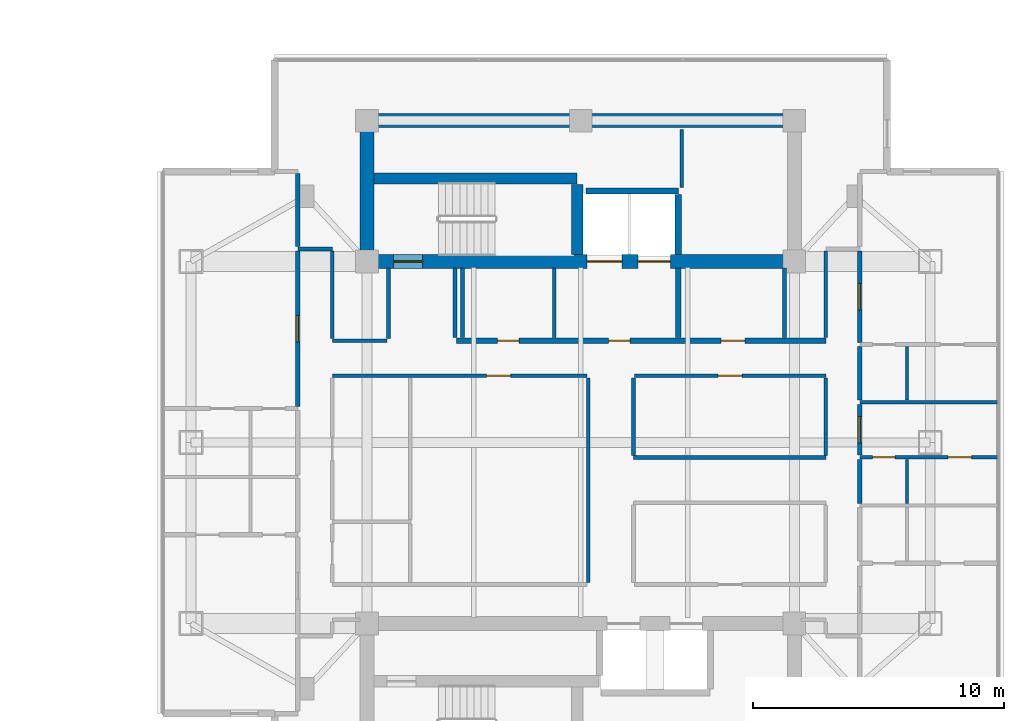
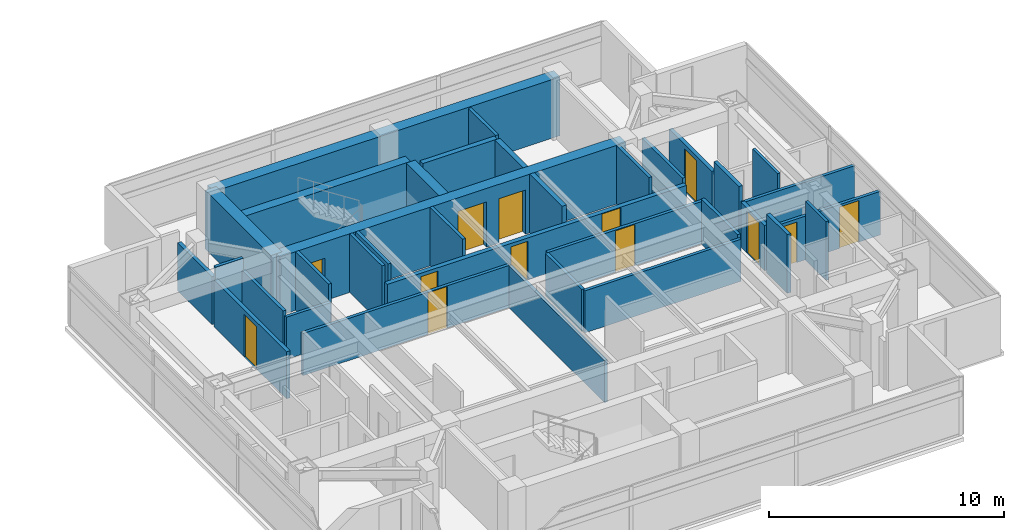
# One storey, part 17 of 24: 35 walls, 13 doors, 13 openings.
"""IFC4 building model written with IfcOpenShell, lengths in metres."""

from ifc_helpers import new_model, si_unit, direction, frame, frame_2d, origin, place, context, subcontext, project, spatial, rectangle, extrude, material, layer, layer_set, type_object, element, fill, save


model = new_model("IFC4")

# Units and contexts
model_context = context("Model", 3, precision=1e-05, world=origin(), true_north=direction((0.0, 1.0)))
body_context = subcontext(model_context, "Body", "Model", "MODEL_VIEW")
ifc_project = project(units=[si_unit("LENGTHUNIT", "METRE"), si_unit("AREAUNIT", "SQUARE_METRE"), si_unit("VOLUMEUNIT", "CUBIC_METRE"), si_unit("PLANEANGLEUNIT", "RADIAN"), si_unit("MASSUNIT", "GRAM", prefix="KILO")], contexts=[model_context])

# Site, building, storey
site_placement = place(None, origin())
site = spatial("IfcSite", under=ifc_project, at=site_placement, CompositionType="ELEMENT")
building_placement = place(site_placement, origin())
building = spatial("IfcBuilding", under=site, at=building_placement, Name="Mirazonda Arch Towers", CompositionType="ELEMENT")
storey_placement = place(building_placement, frame((0.0, 0.0, 186.89990234375)))
storey = spatial("IfcBuildingStorey", under=building, at=storey_placement, Name="L53", CompositionType="ELEMENT", Elevation=186.89990234375)

# Walls
ifc_material_1 = material(Name="Concrete C50/60", Category="concrete")
ifc_layer_1 = layer(ifc_material_1, 0.449951171875, Name="WALL-CORE-450")
ifc_layer_set_1 = layer_set([ifc_layer_1], Name="Concrete C50/60")
wall_type_1 = type_object("IfcWallType", Name="WALL-CORE-450", PredefinedType="SHEAR", material=ifc_layer_set_1)
wall_1_placement = place(storey_placement, frame((68.27001953125, 38.5, 0.0), z_axis=(0.0, 0.0, 1.0), x_axis=(1.0, 0.0, 0.0)))
element("IfcWall", 1, at=wall_1_placement, inside=storey, type_object=wall_type_1, Name="L53 Stair Core Shear Wall 053", PredefinedType="SHEAR", context=body_context, shape_type="SweptSolid", body=[
    extrude(rectangle(XDim=8.090087890625, YDim=0.449951171875, at=frame_2d((4.044921875, 0.0))), origin(), (0.0, 0.0, 1.0), 3.050048828125),
])
wall_2_placement = place(storey_placement, frame((76.360107421875, 35.469970703125, 0.0), z_axis=(0.0, 0.0, 1.0), x_axis=(0.0, 1.0, 0.0)))
element("IfcWall", 2, at=wall_2_placement, inside=storey, type_object=wall_type_1, Name="L53 Stair Core Shear Wall 138", PredefinedType="SHEAR", context=body_context, shape_type="SweptSolid", body=[
    extrude(rectangle(XDim=2.794921875, YDim=0.449951171875, at=frame_2d((1.3974609375, 0.0))), origin(), (0.0, 0.0, 1.0), 3.050048828125),
])
ifc_layer_2 = layer(ifc_material_1, 0.550048828125, Name="WALL-CORE-550")
ifc_layer_set_2 = layer_set([ifc_layer_2], Name="Concrete C50/60")
wall_type_2 = type_object("IfcWallType", Name="WALL-CORE-550", PredefinedType="SHEAR", material=ifc_layer_set_2)
wall_3_placement = place(storey_placement, frame((68.0, 40.800048828125, 0.0), z_axis=(0.0, 0.0, 1.0), x_axis=(1.0, 0.0, 0.0)))
element("IfcWall", 3, at=wall_3_placement, inside=storey, type_object=wall_type_2, Name="L53 T2N-N Core Shear Wall", PredefinedType="SHEAR", context=body_context, shape_type="SweptSolid", body=[
    extrude(rectangle(XDim=17.0, YDim=0.550048828125, at=frame_2d((8.5, 0.0))), origin(), (0.0, 0.0, 1.0), 3.050048828125),
])
wall_4_placement = place(storey_placement, frame((68.0, 35.199951171875, 0.0), z_axis=(0.0, 0.0, 1.0), x_axis=(0.0, 1.0, 0.0)))
element("IfcWall", 4, at=wall_4_placement, inside=storey, type_object=wall_type_2, Name="L53 T2N-W Core Shear Wall", PredefinedType="SHEAR", context=body_context, shape_type="SweptSolid", body=[
    extrude(rectangle(XDim=5.60009765625, YDim=0.550048828125, at=frame_2d((2.800048828125, 0.0))), origin(), (0.0, 0.0, 1.0), 3.050048828125),
])

# Wall, openings, doors
wall_5_placement = place(storey_placement, frame((68.0, 35.199951171875, 0.0), z_axis=(0.0, 0.0, 1.0), x_axis=(1.0, 0.0, 0.0)))
wall_5 = element("IfcWall", 5, at=wall_5_placement, inside=storey, type_object=wall_type_2, Name="L53 T2N-S Core Shear Wall", PredefinedType="SHEAR", context=body_context, shape_type="SweptSolid", body=[
    extrude(rectangle(XDim=17.0, YDim=0.550048828125, at=frame_2d((8.5, 0.0))), origin(), (0.0, 0.0, 1.0), 3.050048828125),
])
opening_1_placement = place(wall_5_placement, frame((1.06005859375, 0.0, 0.0)))
opening_1 = element("IfcOpeningElement", 6, at=opening_1_placement, cuts=wall_5, Name="Opening DR-135", PredefinedType="OPENING", context=body_context, shape_type="SweptSolid", body=[
    extrude(rectangle(XDim=1.14990234375, YDim=2.199951171875, at=frame_2d((0.574951171875, 1.10009765625))), frame((0.0, 0.284912109375, 0.0), z_axis=(0.0, -1.0, 0.0), x_axis=(1.0, 0.0, 0.0)), (0.0, 0.0, 1.0), 0.570068359375),
])
opening_2_placement = place(wall_5_placement, frame((8.75, 0.0, 0.0)))
opening_2 = element("IfcOpeningElement", 7, at=opening_2_placement, cuts=wall_5, Name="Opening LD-112", PredefinedType="OPENING", context=body_context, shape_type="SweptSolid", body=[
    extrude(rectangle(XDim=1.39990234375, YDim=2.35009765625, at=frame_2d((0.699951171875, 1.175048828125))), frame((0.0, 0.284912109375, 0.0), z_axis=(0.0, -1.0, 0.0), x_axis=(1.0, 0.0, 0.0)), (0.0, 0.0, 1.0), 0.570068359375),
])
opening_3_placement = place(wall_5_placement, frame((10.77001953125, 0.0, 0.0)))
opening_3 = element("IfcOpeningElement", 8, at=opening_3_placement, cuts=wall_5, Name="Opening LD-111", PredefinedType="OPENING", context=body_context, shape_type="SweptSolid", body=[
    extrude(rectangle(XDim=1.300048828125, YDim=2.300048828125, at=frame_2d((0.64990234375, 1.14990234375))), frame((0.0, 0.284912109375, 0.0), z_axis=(0.0, -1.0, 0.0), x_axis=(1.0, 0.0, 0.0)), (0.0, 0.0, 1.0), 0.570068359375),
])
ifc_material_2 = material(Name="Architectural Brushed Steel S355", Category="steel")
door_type_1 = type_object("IfcDoorType", Name="DOOR-LIFT-FFL-1400", OperationType="NOTDEFINED", PredefinedType="DOOR", material=ifc_material_2)
door_1_placement = place(opening_2_placement, origin())
door_1 = element("IfcDoor", 9, at=door_1_placement, inside=storey, type_object=door_type_1, Name="L53 Lift Landing Sliding Door FFL-T2", OperationType="DOUBLE_DOOR_SLIDING", OverallHeight=2.35009765625, OverallWidth=1.39990234375, PredefinedType="DOOR", context=body_context, shape_type="SweptSolid", body=[
    extrude(rectangle(XDim=1.39990234375, YDim=2.35009765625, at=frame_2d((0.699951171875, 1.175048828125))), frame((0.0, 0.02490234375, 0.0), z_axis=(0.0, -1.0, 0.0), x_axis=(1.0, 0.0, 0.0)), (0.0, 0.0, 1.0), 0.050048828125),
])
fill(opening_2, door_1)
door_type_2 = type_object("IfcDoorType", Name="DOOR-LIFT-LAND-1300", OperationType="NOTDEFINED", PredefinedType="DOOR", material=ifc_material_2)
door_2_placement = place(opening_3_placement, origin())
door_2 = element("IfcDoor", 10, at=door_2_placement, inside=storey, type_object=door_type_2, Name="L53 Lift Landing Sliding Door SVL-T2", OperationType="DOUBLE_DOOR_SLIDING", OverallHeight=2.300048828125, OverallWidth=1.300048828125, PredefinedType="DOOR", context=body_context, shape_type="SweptSolid", body=[
    extrude(rectangle(XDim=1.300048828125, YDim=2.300048828125, at=frame_2d((0.64990234375, 1.14990234375))), frame((0.0, 0.02490234375, 0.0), z_axis=(0.0, -1.0, 0.0), x_axis=(1.0, 0.0, 0.0)), (0.0, 0.0, 1.0), 0.050048828125),
])
fill(opening_3, door_2)
door_type_3 = type_object("IfcDoorType", Name="DOOR-STAIR-FD90-1150", OperationType="NOTDEFINED", PredefinedType="DOOR", material=ifc_material_2)
door_3_placement = place(opening_1_placement, origin())
door_3 = element("IfcDoor", 11, at=door_3_placement, inside=storey, type_object=door_type_3, Name="L53 East Protected Stair North Door", OperationType="SINGLE_SWING_LEFT", OverallHeight=2.199951171875, OverallWidth=1.14990234375, PredefinedType="DOOR", context=body_context, shape_type="SweptSolid", body=[
    extrude(rectangle(XDim=1.14990234375, YDim=2.199951171875, at=frame_2d((0.574951171875, 1.10009765625))), frame((0.0, 0.02490234375, 0.0), z_axis=(0.0, -1.0, 0.0), x_axis=(1.0, 0.0, 0.0)), (0.0, 0.0, 1.0), 0.050048828125),
])
fill(opening_1, door_3)

ifc_material_3 = material(Name="Concrete C40/50", Category="concrete")
ifc_layer_3 = layer(ifc_material_3, 0.219970703125, Name="WALL-FFL-220")
ifc_layer_set_3 = layer_set([ifc_layer_3], Name="Concrete C40/50")
wall_type_3 = type_object("IfcWallType", Name="WALL-FFL-220", PredefinedType="SOLIDWALL", material=ifc_layer_set_3)
wall_6_placement = place(storey_placement, frame((71.550048828125, 32.050048828125, 0.0), z_axis=(0.0, 0.0, 1.0), x_axis=(1.0, 0.0, 0.0)))
wall_6 = element("IfcWall", 12, at=wall_6_placement, inside=storey, type_object=wall_type_3, Name="L53 Interior Partition 044", PredefinedType="SOLIDWALL", context=body_context, shape_type="SweptSolid", body=[
    extrude(rectangle(XDim=14.699951171875, YDim=0.219970703125, at=frame_2d((7.35009765625, 0.0))), origin(), (0.0, 0.0, 1.0), 2.18603515625),
])
opening_4_placement = place(wall_6_placement, frame((6.06494140625, 0.0, 0.0)))
opening_4 = element("IfcOpeningElement", 13, at=opening_4_placement, cuts=wall_6, Name="Opening DR-128", PredefinedType="OPENING", context=body_context, shape_type="SweptSolid", body=[
    extrude(rectangle(XDim=0.85009765625, YDim=2.010009765625, at=frame_2d((0.425048828125, 1.0048828125))), frame((0.0, 0.119873046875, 0.0), z_axis=(0.0, -1.0, 0.0), x_axis=(1.0, 0.0, 0.0)), (0.0, 0.0, 1.0), 0.239990234375),
])
opening_5_placement = place(wall_6_placement, frame((10.534912109375, 0.0, 0.0)))
opening_5 = element("IfcOpeningElement", 14, at=opening_5_placement, cuts=wall_6, Name="Opening DR-104", PredefinedType="OPENING", context=body_context, shape_type="SweptSolid", body=[
    extrude(rectangle(XDim=0.949951171875, YDim=2.14990234375, at=frame_2d((0.47509765625, 1.074951171875))), frame((0.0, 0.119873046875, 0.0), z_axis=(0.0, -1.0, 0.0), x_axis=(1.0, 0.0, 0.0)), (0.0, 0.0, 1.0), 0.239990234375),
])
opening_6_placement = place(wall_6_placement, frame((1.64990234375, 0.0, 0.0)))
opening_6 = element("IfcOpeningElement", 15, at=opening_6_placement, cuts=wall_6, Name="Opening DR-128", PredefinedType="OPENING", context=body_context, shape_type="SweptSolid", body=[
    extrude(rectangle(XDim=0.85009765625, YDim=2.010009765625, at=frame_2d((0.425048828125, 1.0048828125))), frame((0.0, 0.119873046875, 0.0), z_axis=(0.0, -1.0, 0.0), x_axis=(1.0, 0.0, 0.0)), (0.0, 0.0, 1.0), 0.239990234375),
])
door_type_4 = type_object("IfcDoorType", Name="DOOR-RISER-FD60-850", OperationType="NOTDEFINED", PredefinedType="DOOR", material=ifc_material_2)
door_4_placement = place(opening_4_placement, origin())
door_4 = element("IfcDoor", 16, at=door_4_placement, inside=storey, type_object=door_type_4, Name="L53 East Firefighting Lift Lobby Door", OperationType="SINGLE_SWING_RIGHT", OverallHeight=2.010009765625, OverallWidth=0.85009765625, PredefinedType="DOOR", context=body_context, shape_type="SweptSolid", body=[
    extrude(rectangle(XDim=0.85009765625, YDim=2.010009765625, at=frame_2d((0.425048828125, 1.0048828125))), frame((0.0, 0.02490234375, 0.0), z_axis=(0.0, -1.0, 0.0), x_axis=(1.0, 0.0, 0.0)), (0.0, 0.0, 1.0), 0.050048828125),
])
fill(opening_4, door_4)
door_5_placement = place(opening_6_placement, origin())
door_5 = element("IfcDoor", 17, at=door_5_placement, inside=storey, type_object=door_type_4, Name="L53 Tower 2 Housekeeping & Linen Room Door", OperationType="SINGLE_SWING_RIGHT", OverallHeight=2.010009765625, OverallWidth=0.85009765625, PredefinedType="DOOR", context=body_context, shape_type="SweptSolid", body=[
    extrude(rectangle(XDim=0.85009765625, YDim=2.010009765625, at=frame_2d((0.425048828125, 1.0048828125))), frame((0.0, 0.02490234375, 0.0), z_axis=(0.0, -1.0, 0.0), x_axis=(1.0, 0.0, 0.0)), (0.0, 0.0, 1.0), 0.050048828125),
])
fill(opening_6, door_5)
door_type_5 = type_object("IfcDoorType", Name="DOOR-ROOM-950", OperationType="NOTDEFINED", PredefinedType="DOOR", material=ifc_material_2)
door_6_placement = place(opening_5_placement, origin())
door_6 = element("IfcDoor", 18, at=door_6_placement, inside=storey, type_object=door_type_5, Name="L53 East Sky Reading Library Door", OperationType="SINGLE_SWING_LEFT", OverallHeight=2.14990234375, OverallWidth=0.949951171875, PredefinedType="DOOR", context=body_context, shape_type="SweptSolid", body=[
    extrude(rectangle(XDim=0.949951171875, YDim=2.14990234375, at=frame_2d((0.47509765625, 1.074951171875))), frame((0.0, 0.02490234375, 0.0), z_axis=(0.0, -1.0, 0.0), x_axis=(1.0, 0.0, 0.0)), (0.0, 0.0, 1.0), 0.050048828125),
])
fill(opening_5, door_6)

# Walls
wall_7_placement = place(storey_placement, frame((80.3798828125, 32.169921875, 0.0), z_axis=(0.0, 0.0, 1.0), x_axis=(0.0, 1.0, 0.0)))
element("IfcWall", 19, at=wall_7_placement, inside=storey, type_object=wall_type_3, Name="L53 Interior Partition 143", PredefinedType="SOLIDWALL", context=body_context, shape_type="SweptSolid", body=[
    extrude(rectangle(XDim=2.760009765625, YDim=0.219970703125, at=frame_2d((1.3798828125, 0.0))), origin(), (0.0, 0.0, 1.0), 3.050048828125),
])
ifc_material_4 = material(Name="Fire-Rated Gypsum Stud Partition")
ifc_layer_4 = layer(ifc_material_4, 0.14990234375, Name="WALL-PART-CORR-150")
ifc_layer_set_4 = layer_set([ifc_layer_4], Name="Fire-Rated Gypsum Stud Partition")
wall_type_4 = type_object("IfcWallType", Name="WALL-PART-CORR-150", PredefinedType="PARTITIONING", material=ifc_layer_set_4)
wall_8_placement = place(storey_placement, frame((78.60009765625, 27.39990234375, 0.0), z_axis=(0.0, 0.0, 1.0), x_axis=(1.0, 0.0, 0.0)))
element("IfcWall", 20, at=wall_8_placement, inside=storey, type_object=wall_type_4, Name="L53 Interior Partition 032", PredefinedType="PARTITIONING", context=body_context, shape_type="SweptSolid", body=[
    extrude(rectangle(XDim=7.64990234375, YDim=0.14990234375, at=frame_2d((3.824951171875, 0.0))), origin(), (0.0, 0.0, 1.0), 2.18603515625),
])

# Wall, openings, doors
wall_9_placement = place(storey_placement, frame((87.60009765625, 27.412109375, 0.0), z_axis=(0.0, 0.0, 1.0), x_axis=(1.0, 0.0, 0.0)))
wall_9 = element("IfcWall", 21, at=wall_9_placement, inside=storey, type_object=wall_type_4, Name="L53 Interior Partition 033", PredefinedType="PARTITIONING", context=body_context, shape_type="SweptSolid", body=[
    extrude(rectangle(XDim=5.514892578125, YDim=0.14990234375, at=frame_2d((2.75732421875, 0.0))), origin(), (0.0, 0.0, 1.0), 2.26904296875),
])
opening_7_placement = place(wall_9_placement, frame((3.50244140625, 0.0, 0.0)))
opening_7 = element("IfcOpeningElement", 22, at=opening_7_placement, cuts=wall_9, Name="Opening DR-104", PredefinedType="OPENING", context=body_context, shape_type="SweptSolid", body=[
    extrude(rectangle(XDim=0.949951171875, YDim=2.14990234375, at=frame_2d((0.47509765625, 1.074951171875))), frame((0.0, 0.0849609375, 0.0), z_axis=(0.0, -1.0, 0.0), x_axis=(1.0, 0.0, 0.0)), (0.0, 0.0, 1.0), 0.169921875),
])
opening_8_placement = place(wall_9_placement, frame((0.510009765625, 0.0, 0.0)))
opening_8 = element("IfcOpeningElement", 23, at=opening_8_placement, cuts=wall_9, Name="Opening DR-120", PredefinedType="OPENING", context=body_context, shape_type="SweptSolid", body=[
    extrude(rectangle(XDim=0.89990234375, YDim=2.10009765625, at=frame_2d((0.449951171875, 1.050048828125))), frame((0.0, 0.0849609375, 0.0), z_axis=(0.0, -1.0, 0.0), x_axis=(1.0, 0.0, 0.0)), (0.0, 0.0, 1.0), 0.169921875),
])
door_7_placement = place(opening_7_placement, origin())
door_7 = element("IfcDoor", 24, at=door_7_placement, inside=storey, type_object=door_type_5, Name="L53 Studio 2 Galley Kitchen Door", OperationType="SINGLE_SWING_LEFT", OverallHeight=2.14990234375, OverallWidth=0.949951171875, PredefinedType="DOOR", context=body_context, shape_type="SweptSolid", body=[
    extrude(rectangle(XDim=0.949951171875, YDim=2.14990234375, at=frame_2d((0.47509765625, 1.074951171875))), frame((0.0, 0.02490234375, 0.0), z_axis=(0.0, -1.0, 0.0), x_axis=(1.0, 0.0, 0.0)), (0.0, 0.0, 1.0), 0.050048828125),
])
fill(opening_7, door_7)
door_type_6 = type_object("IfcDoorType", Name="DOOR-WC-900", OperationType="NOTDEFINED", PredefinedType="DOOR", material=ifc_material_2)
door_8_placement = place(opening_8_placement, origin())
door_8 = element("IfcDoor", 25, at=door_8_placement, inside=storey, type_object=door_type_6, Name="L53 Studio 2 Bathroom Door", OperationType="SINGLE_SWING_RIGHT", OverallHeight=2.10009765625, OverallWidth=0.89990234375, PredefinedType="DOOR", context=body_context, shape_type="SweptSolid", body=[
    extrude(rectangle(XDim=0.89990234375, YDim=2.10009765625, at=frame_2d((0.449951171875, 1.050048828125))), frame((0.0, 0.02490234375, 0.0), z_axis=(0.0, -1.0, 0.0), x_axis=(1.0, 0.0, 0.0)), (0.0, 0.0, 1.0), 0.050048828125),
])
fill(opening_8, door_8)

# Wall
wall_10_placement = place(storey_placement, frame((87.60009765625, 29.595947265625, 0.0), z_axis=(0.0, 0.0, 1.0), x_axis=(1.0, 0.0, 0.0)))
element("IfcWall", 26, at=wall_10_placement, inside=storey, type_object=wall_type_4, Name="L53 Interior Partition 037", PredefinedType="PARTITIONING", context=body_context, shape_type="SweptSolid", body=[
    extrude(rectangle(XDim=5.514892578125, YDim=0.14990234375, at=frame_2d((2.75732421875, 0.0))), origin(), (0.0, 0.0, 1.0), 2.26904296875),
])

# Wall, opening, door
wall_11_placement = place(storey_placement, frame((66.6201171875, 30.64990234375, 0.0), z_axis=(0.0, 0.0, 1.0), x_axis=(1.0, 0.0, 0.0)))
wall_11 = element("IfcWall", 27, at=wall_11_placement, inside=storey, type_object=wall_type_4, Name="L53 Interior Partition 039", PredefinedType="PARTITIONING", context=body_context, shape_type="SweptSolid", body=[
    extrude(rectangle(XDim=10.139892578125, YDim=0.14990234375, at=frame_2d((5.06982421875, 0.0))), origin(), (0.0, 0.0, 1.0), 2.18603515625),
])
opening_9_placement = place(wall_11_placement, frame((6.139892578125, 0.0, 0.0)))
opening_9 = element("IfcOpeningElement", 28, at=opening_9_placement, cuts=wall_11, Name="Opening DR-104", PredefinedType="OPENING", context=body_context, shape_type="SweptSolid", body=[
    extrude(rectangle(XDim=0.949951171875, YDim=2.14990234375, at=frame_2d((0.47509765625, 1.074951171875))), frame((0.0, 0.0849609375, 0.0), z_axis=(0.0, -1.0, 0.0), x_axis=(1.0, 0.0, 0.0)), (0.0, 0.0, 1.0), 0.169921875),
])
door_9_placement = place(opening_9_placement, origin())
door_9 = element("IfcDoor", 29, at=door_9_placement, inside=storey, type_object=door_type_5, Name="L53 L53 East Courtyard Study Door", OperationType="SINGLE_SWING_LEFT", OverallHeight=2.14990234375, OverallWidth=0.949951171875, PredefinedType="DOOR", context=body_context, shape_type="SweptSolid", body=[
    extrude(rectangle(XDim=0.949951171875, YDim=2.14990234375, at=frame_2d((0.47509765625, 1.074951171875))), frame((0.0, 0.02490234375, 0.0), z_axis=(0.0, -1.0, 0.0), x_axis=(1.0, 0.0, 0.0)), (0.0, 0.0, 1.0), 0.050048828125),
])
fill(opening_9, door_9)

wall_12_placement = place(storey_placement, frame((78.639892578125, 30.64990234375, 0.0), z_axis=(0.0, 0.0, 1.0), x_axis=(1.0, 0.0, 0.0)))
wall_12 = element("IfcWall", 30, at=wall_12_placement, inside=storey, type_object=wall_type_4, Name="L53 Interior Partition 040", PredefinedType="PARTITIONING", context=body_context, shape_type="SweptSolid", body=[
    extrude(rectangle(XDim=7.610107421875, YDim=0.14990234375, at=frame_2d((3.80517578125, 0.0))), origin(), (0.0, 0.0, 1.0), 2.18603515625),
])
opening_10_placement = place(wall_12_placement, frame((3.330078125, 0.0, 0.0)))
opening_10 = element("IfcOpeningElement", 31, at=opening_10_placement, cuts=wall_12, Name="Opening DR-104", PredefinedType="OPENING", context=body_context, shape_type="SweptSolid", body=[
    extrude(rectangle(XDim=0.949951171875, YDim=2.14990234375, at=frame_2d((0.47509765625, 1.074951171875))), frame((0.0, 0.0849609375, 0.0), z_axis=(0.0, -1.0, 0.0), x_axis=(1.0, 0.0, 0.0)), (0.0, 0.0, 1.0), 0.169921875),
])
door_10_placement = place(opening_10_placement, origin())
door_10 = element("IfcDoor", 32, at=door_10_placement, inside=storey, type_object=door_type_5, Name="L53 L53 Tower 2 North-East Study Door", OperationType="SINGLE_SWING_LEFT", OverallHeight=2.14990234375, OverallWidth=0.949951171875, PredefinedType="DOOR", context=body_context, shape_type="SweptSolid", body=[
    extrude(rectangle(XDim=0.949951171875, YDim=2.14990234375, at=frame_2d((0.47509765625, 1.074951171875))), frame((0.0, 0.02490234375, 0.0), z_axis=(0.0, -1.0, 0.0), x_axis=(1.0, 0.0, 0.0)), (0.0, 0.0, 1.0), 0.050048828125),
])
fill(opening_10, door_10)

# Walls
wall_13_placement = place(storey_placement, frame((66.6201171875, 32.050048828125, 0.0), z_axis=(0.0, 0.0, 1.0), x_axis=(1.0, 0.0, 0.0)))
element("IfcWall", 33, at=wall_13_placement, inside=storey, type_object=wall_type_4, Name="L53 Interior Partition 043", PredefinedType="PARTITIONING", context=body_context, shape_type="SweptSolid", body=[
    extrude(rectangle(XDim=2.179931640625, YDim=0.14990234375, at=frame_2d((1.08984375, 0.0))), origin(), (0.0, 0.0, 1.0), 2.18603515625),
])
wall_14_placement = place(storey_placement, frame((65.25, 35.699951171875, 0.0), z_axis=(0.0, 0.0, 1.0), x_axis=(1.0, 0.0, 0.0)))
element("IfcWall", 34, at=wall_14_placement, inside=storey, type_object=wall_type_4, Name="L53 Interior Partition 050", PredefinedType="PARTITIONING", context=body_context, shape_type="SweptSolid", body=[
    extrude(rectangle(XDim=1.3701171875, YDim=0.14990234375, at=frame_2d((0.68505859375, 0.0))), origin(), (0.0, 0.0, 1.0), 3.050048828125),
])
wall_15_placement = place(storey_placement, frame((66.6201171875, 32.135009765625, 0.0), z_axis=(0.0, 0.0, 1.0), x_axis=(0.0, 1.0, 0.0)))
element("IfcWall", 35, at=wall_15_placement, inside=storey, type_object=wall_type_4, Name="L53 Interior Partition 130", PredefinedType="PARTITIONING", context=body_context, shape_type="SweptSolid", body=[
    extrude(rectangle(XDim=3.47998046875, YDim=0.14990234375, at=frame_2d((1.739990234375, 0.0))), origin(), (0.0, 0.0, 1.0), 2.442138671875),
])
wall_16_placement = place(storey_placement, frame((68.85009765625, 32.135009765625, 0.0), z_axis=(0.0, 0.0, 1.0), x_axis=(0.0, 1.0, 0.0)))
element("IfcWall", 36, at=wall_16_placement, inside=storey, type_object=wall_type_4, Name="L53 Interior Partition 131", PredefinedType="PARTITIONING", context=body_context, shape_type="SweptSolid", body=[
    extrude(rectangle(XDim=2.794921875, YDim=0.14990234375, at=frame_2d((1.3974609375, 0.0))), origin(), (0.0, 0.0, 1.0), 3.050048828125),
])
for number, where, z_axis, x_axis, name in (
    (37, (71.5, 32.169921875, 0.0), (0.0, 0.0, 1.0), (0.0, 1.0, 0.0), "L53 Interior Partition 134"),
    (38, (71.800048828125, 32.169921875, 0.0), (0.0, 0.0, 1.0), (0.0, 1.0, 0.0), "L53 Interior Partition 135"),
    (39, (75.449951171875, 32.169921875, 0.0), (0.0, 0.0, 1.0), (0.0, 1.0, 0.0), "L53 Interior Partition 136"),
):
    element("IfcWall", number, at=place(storey_placement, frame(where, z_axis=z_axis, x_axis=x_axis)), inside=storey, type_object=wall_type_4, Name=name, PredefinedType="PARTITIONING", context=body_context, shape_type="SweptSolid", body=[
        extrude(rectangle(XDim=2.760009765625, YDim=0.14990234375, at=frame_2d((1.3798828125, 0.0))), origin(), (0.0, 0.0, 1.0), 3.050048828125),
    ])
wall_17_placement = place(storey_placement, frame((76.800048828125, 22.43505859375, 0.0), z_axis=(0.0, 0.0, 1.0), x_axis=(0.0, 1.0, 0.0)))
element("IfcWall", 40, at=wall_17_placement, inside=storey, type_object=wall_type_4, Name="L53 Interior Partition 139", PredefinedType="PARTITIONING", context=body_context, shape_type="SweptSolid", body=[
    extrude(rectangle(XDim=8.1298828125, YDim=0.14990234375, at=frame_2d((4.06494140625, 0.0))), origin(), (0.0, 0.0, 1.0), 2.18603515625),
])
wall_18_placement = place(storey_placement, frame((78.60009765625, 27.485107421875, 0.0), z_axis=(0.0, 0.0, 1.0), x_axis=(0.0, 1.0, 0.0)))
element("IfcWall", 41, at=wall_18_placement, inside=storey, type_object=wall_type_4, Name="L53 Interior Partition 142", PredefinedType="PARTITIONING", context=body_context, shape_type="SweptSolid", body=[
    extrude(rectangle(XDim=3.079833984375, YDim=0.14990234375, at=frame_2d((1.5400390625, 0.0))), origin(), (0.0, 0.0, 1.0), 2.18603515625),
])
wall_19_placement = place(storey_placement, frame((80.52001953125, 38.135009765625, 0.0), z_axis=(0.0, 0.0, 1.0), x_axis=(0.0, 1.0, 0.0)))
element("IfcWall", 42, at=wall_19_placement, inside=storey, type_object=wall_type_4, Name="L53 Interior Partition 145", PredefinedType="PARTITIONING", context=body_context, shape_type="SweptSolid", body=[
    extrude(rectangle(XDim=2.31494140625, YDim=0.14990234375, at=frame_2d((1.157470703125, 0.0))), origin(), (0.0, 0.0, 1.0), 3.050048828125),
])
wall_20_placement = place(storey_placement, frame((84.60009765625, 32.169921875, 0.0), z_axis=(0.0, 0.0, 1.0), x_axis=(0.0, 1.0, 0.0)))
element("IfcWall", 43, at=wall_20_placement, inside=storey, type_object=wall_type_4, Name="L53 Interior Partition 147", PredefinedType="PARTITIONING", context=body_context, shape_type="SweptSolid", body=[
    extrude(rectangle(XDim=2.760009765625, YDim=0.14990234375, at=frame_2d((1.3798828125, 0.0))), origin(), (0.0, 0.0, 1.0), 3.050048828125),
])
wall_21_placement = place(storey_placement, frame((86.25, 27.485107421875, 0.0), z_axis=(0.0, 0.0, 1.0), x_axis=(0.0, 1.0, 0.0)))
element("IfcWall", 44, at=wall_21_placement, inside=storey, type_object=wall_type_4, Name="L53 Interior Partition 150", PredefinedType="PARTITIONING", context=body_context, shape_type="SweptSolid", body=[
    extrude(rectangle(XDim=3.079833984375, YDim=0.14990234375, at=frame_2d((1.5400390625, 0.0))), origin(), (0.0, 0.0, 1.0), 2.34619140625),
])
wall_22_placement = place(storey_placement, frame((86.25, 32.169921875, 0.0), z_axis=(0.0, 0.0, 1.0), x_axis=(0.0, 1.0, 0.0)))
element("IfcWall", 45, at=wall_22_placement, inside=storey, type_object=wall_type_4, Name="L53 Interior Partition 151", PredefinedType="PARTITIONING", context=body_context, shape_type="SweptSolid", body=[
    extrude(rectangle(XDim=3.445068359375, YDim=0.14990234375, at=frame_2d((1.72265625, 0.0))), origin(), (0.0, 0.0, 1.0), 2.442138671875),
])

# Wall, opening, door
ifc_material_5 = material(Name="Fire-Rated Gypsum Twin-Stud Assembly")
ifc_layer_5 = layer(ifc_material_5, 0.179931640625, Name="WALL-PART-DEMISE-180")
ifc_layer_set_5 = layer_set([ifc_layer_5], Name="Fire-Rated Gypsum Twin-Stud Assembly")
wall_type_5 = type_object("IfcWallType", Name="WALL-PART-DEMISE-180", PredefinedType="PARTITIONING", material=ifc_layer_set_5)
wall_23_placement = place(storey_placement, frame((65.25, 29.43701171875, 0.0), z_axis=(0.0, 0.0, 1.0), x_axis=(0.0, 1.0, 0.0)))
wall_23 = element("IfcWall", 46, at=wall_23_placement, inside=storey, type_object=wall_type_5, Name="L53 Interior Partition 125", PredefinedType="PARTITIONING", context=body_context, shape_type="SweptSolid", body=[
    extrude(rectangle(XDim=6.177978515625, YDim=0.179931640625, at=frame_2d((3.0888671875, 0.0))), origin(), (0.0, 0.0, 1.0), 2.442138671875),
])
opening_11_placement = place(wall_23_placement, frame((2.56396484375, 0.0, 0.0)))
opening_11 = element("IfcOpeningElement", 47, at=opening_11_placement, cuts=wall_23, Name="Opening DR-121", PredefinedType="OPENING", context=body_context, shape_type="SweptSolid", body=[
    extrude(rectangle(XDim=1.050048828125, YDim=2.199951171875, at=frame_2d((0.52490234375, 1.10009765625))), frame((0.0, 0.099853515625, 0.0), z_axis=(0.0, -1.0, 0.0), x_axis=(1.0, 0.0, 0.0)), (0.0, 0.0, 1.0), 0.199951171875),
])
door_type_7 = type_object("IfcDoorType", Name="DOOR-SUITE-FD60-1050", OperationType="NOTDEFINED", PredefinedType="DOOR", material=ifc_material_2)
door_11_placement = place(opening_11_placement, origin())
door_11 = element("IfcDoor", 48, at=door_11_placement, inside=storey, type_object=door_type_7, Name="L53 Studio Apartment 2 Living Salon Door", OperationType="SINGLE_SWING_RIGHT", OverallHeight=2.199951171875, OverallWidth=1.050048828125, PredefinedType="DOOR", context=body_context, shape_type="SweptSolid", body=[
    extrude(rectangle(XDim=1.050048828125, YDim=2.199951171875, at=frame_2d((0.52490234375, 1.10009765625))), frame((0.0, 0.02490234375, 0.0), z_axis=(0.0, -1.0, 0.0), x_axis=(1.0, 0.0, 0.0)), (0.0, 0.0, 1.0), 0.050048828125),
])
fill(opening_11, door_11)

# Walls
wall_24_placement = place(storey_placement, frame((65.25, 35.784912109375, 0.0), z_axis=(0.0, 0.0, 1.0), x_axis=(0.0, 1.0, 0.0)))
element("IfcWall", 49, at=wall_24_placement, inside=storey, type_object=wall_type_5, Name="L53 Interior Partition 126", PredefinedType="PARTITIONING", context=body_context, shape_type="SweptSolid", body=[
    extrude(rectangle(XDim=2.912109375, YDim=0.179931640625, at=frame_2d((1.4560546875, 0.0))), origin(), (0.0, 0.0, 1.0), 2.4931640625),
])
wall_25_placement = place(storey_placement, frame((87.60009765625, 25.564453125, 0.0), z_axis=(0.0, 0.0, 1.0), x_axis=(0.0, 1.0, 0.0)))
element("IfcWall", 50, at=wall_25_placement, inside=storey, type_object=wall_type_5, Name="L53 Interior Partition 155", PredefinedType="PARTITIONING", context=body_context, shape_type="SweptSolid", body=[
    extrude(rectangle(XDim=1.762451171875, YDim=0.179931640625, at=frame_2d((0.88134765625, 0.0))), origin(), (0.0, 0.0, 1.0), 3.050048828125),
])

# Wall, opening, door
wall_26_placement = place(storey_placement, frame((87.60009765625, 27.4970703125, 0.0), z_axis=(0.0, 0.0, 1.0), x_axis=(0.0, 1.0, 0.0)))
wall_26 = element("IfcWall", 51, at=wall_26_placement, inside=storey, type_object=wall_type_5, Name="L53 Interior Partition 156", PredefinedType="PARTITIONING", context=body_context, shape_type="SweptSolid", body=[
    extrude(rectangle(XDim=2.013916015625, YDim=0.179931640625, at=frame_2d((1.0068359375, 0.0))), origin(), (0.0, 0.0, 1.0), 2.34619140625),
])
opening_12_placement = place(wall_26_placement, frame((0.48193359375, 0.0, 0.0)))
opening_12 = element("IfcOpeningElement", 52, at=opening_12_placement, cuts=wall_26, Name="Opening DR-121", PredefinedType="OPENING", context=body_context, shape_type="SweptSolid", body=[
    extrude(rectangle(XDim=1.050048828125, YDim=2.199951171875, at=frame_2d((0.52490234375, 1.10009765625))), frame((0.0, 0.099853515625, 0.0), z_axis=(0.0, -1.0, 0.0), x_axis=(1.0, 0.0, 0.0)), (0.0, 0.0, 1.0), 0.199951171875),
])
door_12_placement = place(opening_12_placement, origin())
door_12 = element("IfcDoor", 53, at=door_12_placement, inside=storey, type_object=door_type_7, Name="L53 Studio Apartment 2 Living Salon Door", OperationType="SINGLE_SWING_RIGHT", OverallHeight=2.199951171875, OverallWidth=1.050048828125, PredefinedType="DOOR", context=body_context, shape_type="SweptSolid", body=[
    extrude(rectangle(XDim=1.050048828125, YDim=2.199951171875, at=frame_2d((0.52490234375, 1.10009765625))), frame((0.0, 0.02490234375, 0.0), z_axis=(0.0, -1.0, 0.0), x_axis=(1.0, 0.0, 0.0)), (0.0, 0.0, 1.0), 0.050048828125),
])
fill(opening_12, door_12)

# Wall
wall_27_placement = place(storey_placement, frame((87.60009765625, 29.680908203125, 0.0), z_axis=(0.0, 0.0, 1.0), x_axis=(0.0, 1.0, 0.0)))
element("IfcWall", 54, at=wall_27_placement, inside=storey, type_object=wall_type_5, Name="L53 Interior Partition 157", PredefinedType="PARTITIONING", context=body_context, shape_type="SweptSolid", body=[
    extrude(rectangle(XDim=2.130126953125, YDim=0.179931640625, at=frame_2d((1.06494140625, 0.0))), origin(), (0.0, 0.0, 1.0), 3.050048828125),
])

# Wall, opening, door
wall_28_placement = place(storey_placement, frame((87.60009765625, 31.98095703125, 0.0), z_axis=(0.0, 0.0, 1.0), x_axis=(0.0, 1.0, 0.0)))
wall_28 = element("IfcWall", 55, at=wall_28_placement, inside=storey, type_object=wall_type_5, Name="L53 Interior Partition 158", PredefinedType="PARTITIONING", context=body_context, shape_type="SweptSolid", body=[
    extrude(rectangle(XDim=3.634033203125, YDim=0.179931640625, at=frame_2d((1.81689453125, 0.0))), origin(), (0.0, 0.0, 1.0), 2.442138671875),
])
opening_13_placement = place(wall_28_placement, frame((1.2919921875, 0.0, 0.0)))
opening_13 = element("IfcOpeningElement", 56, at=opening_13_placement, cuts=wall_28, Name="Opening DR-121", PredefinedType="OPENING", context=body_context, shape_type="SweptSolid", body=[
    extrude(rectangle(XDim=1.050048828125, YDim=2.199951171875, at=frame_2d((0.52490234375, 1.10009765625))), frame((0.0, 0.099853515625, 0.0), z_axis=(0.0, -1.0, 0.0), x_axis=(1.0, 0.0, 0.0)), (0.0, 0.0, 1.0), 0.199951171875),
])
door_13_placement = place(opening_13_placement, origin())
door_13 = element("IfcDoor", 57, at=door_13_placement, inside=storey, type_object=door_type_7, Name="L53 Studio Apartment 3 Living Salon Door", OperationType="SINGLE_SWING_LEFT", OverallHeight=2.199951171875, OverallWidth=1.050048828125, PredefinedType="DOOR", context=body_context, shape_type="SweptSolid", body=[
    extrude(rectangle(XDim=1.050048828125, YDim=2.199951171875, at=frame_2d((0.52490234375, 1.10009765625))), frame((0.0, 0.02490234375, 0.0), z_axis=(0.0, -1.0, 0.0), x_axis=(1.0, 0.0, 0.0)), (0.0, 0.0, 1.0), 0.050048828125),
])
fill(opening_13, door_13)

# Walls
ifc_material_6 = material(Name="Acoustic Fire-Rated Gypsum Partition")
ifc_layer_6 = layer(ifc_material_6, 0.125, Name="WALL-PART-UNIT-125")
ifc_layer_set_6 = layer_set([ifc_layer_6], Name="Acoustic Fire-Rated Gypsum Partition")
wall_type_6 = type_object("IfcWallType", Name="WALL-PART-UNIT-125", PredefinedType="PARTITIONING", material=ifc_layer_set_6)
wall_29_placement = place(storey_placement, frame((89.47998046875, 25.564453125, 0.0), z_axis=(0.0, 0.0, 1.0), x_axis=(0.0, 1.0, 0.0)))
element("IfcWall", 58, at=wall_29_placement, inside=storey, type_object=wall_type_6, Name="L53 Interior Partition 161", PredefinedType="PARTITIONING", context=body_context, shape_type="SweptSolid", body=[
    extrude(rectangle(XDim=1.762451171875, YDim=0.125, at=frame_2d((0.88134765625, 0.0))), origin(), (0.0, 0.0, 1.0), 3.050048828125),
])
wall_30_placement = place(storey_placement, frame((89.47998046875, 29.680908203125, 0.0), z_axis=(0.0, 0.0, 1.0), x_axis=(0.0, 1.0, 0.0)))
element("IfcWall", 59, at=wall_30_placement, inside=storey, type_object=wall_type_6, Name="L53 Interior Partition 162", PredefinedType="PARTITIONING", context=body_context, shape_type="SweptSolid", body=[
    extrude(rectangle(XDim=2.130126953125, YDim=0.125, at=frame_2d((1.06494140625, 0.0))), origin(), (0.0, 0.0, 1.0), 3.050048828125),
])
ifc_layer_7 = layer(ifc_material_3, 0.25, Name="WALL-SHAFT-250")
ifc_layer_set_7 = layer_set([ifc_layer_7], Name="Concrete C40/50")
wall_type_7 = type_object("IfcWallType", Name="WALL-SHAFT-250", PredefinedType="SOLIDWALL", material=ifc_layer_set_7)
wall_31_placement = place(storey_placement, frame((76.719970703125, 38.0, 0.0), z_axis=(0.0, 0.0, 1.0), x_axis=(1.0, 0.0, 0.0)))
element("IfcWall", 60, at=wall_31_placement, inside=storey, type_object=wall_type_7, Name="L53 Interior Partition 052", PredefinedType="SOLIDWALL", context=body_context, shape_type="SweptSolid", body=[
    extrude(rectangle(XDim=3.659912109375, YDim=0.25, at=frame_2d((1.830078125, 0.0))), origin(), (0.0, 0.0, 1.0), 3.050048828125),
])
wall_32_placement = place(storey_placement, frame((80.3798828125, 35.469970703125, 0.0), z_axis=(0.0, 0.0, 1.0), x_axis=(0.0, 1.0, 0.0)))
element("IfcWall", 61, at=wall_32_placement, inside=storey, type_object=wall_type_7, Name="L53 Interior Partition 144", PredefinedType="SOLIDWALL", context=body_context, shape_type="SweptSolid", body=[
    extrude(rectangle(XDim=2.39501953125, YDim=0.25, at=frame_2d((1.197509765625, 0.0))), origin(), (0.0, 0.0, 1.0), 3.050048828125),
])

save(model, "model.ifc")
